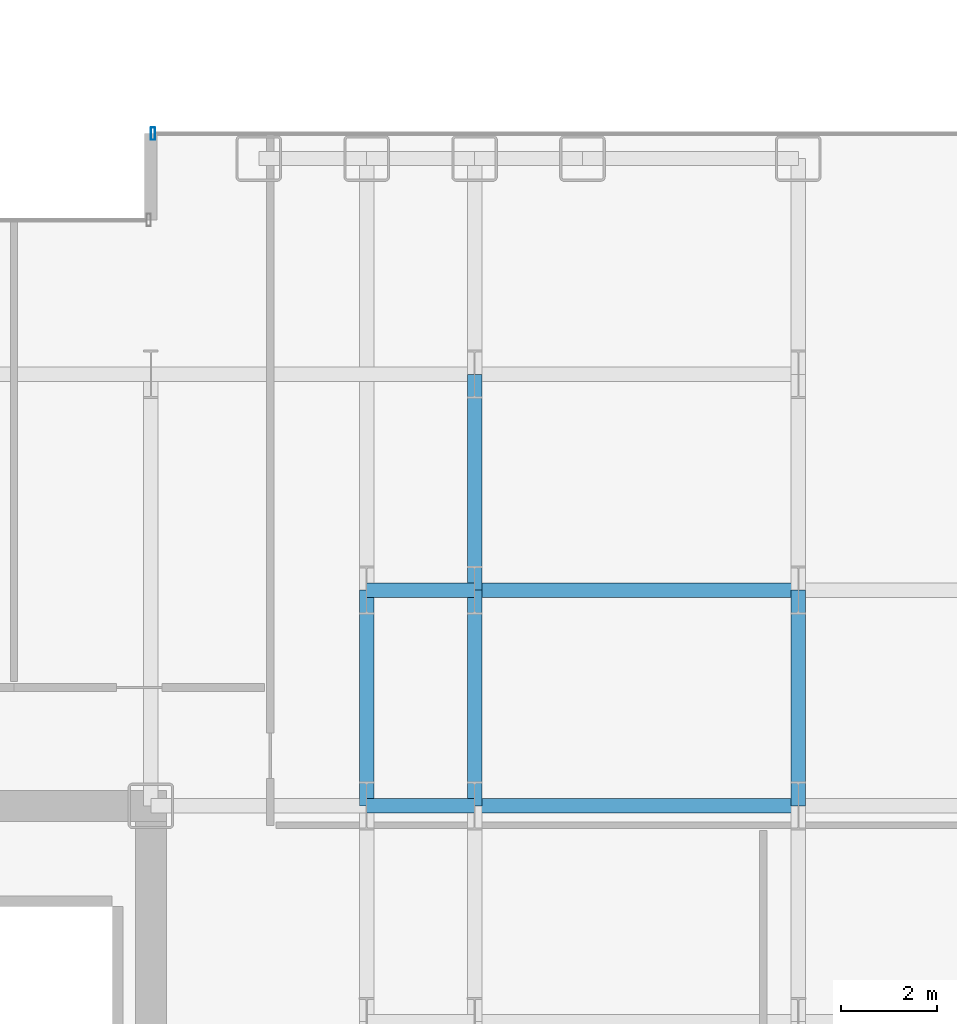
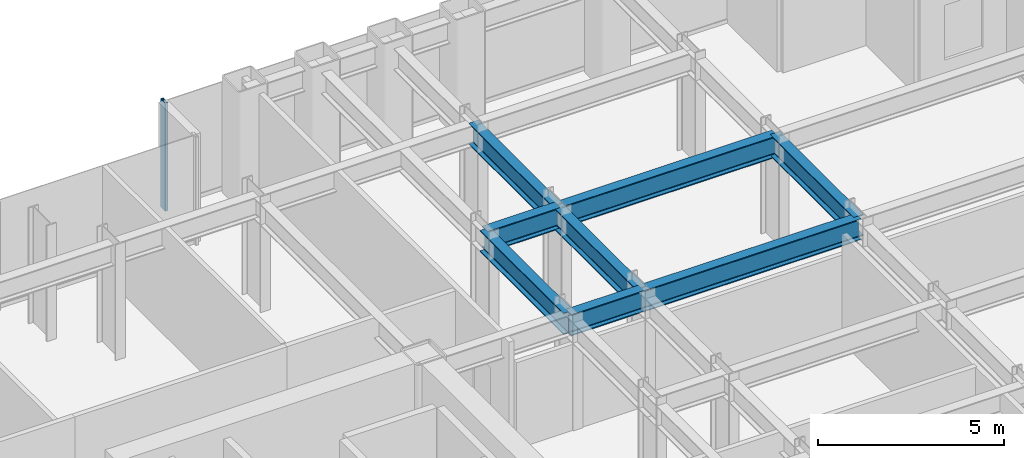
# One storey, part 15 of 29: 8 beams, 1 member, 1 element without a shape of its own.
"""IFC4 building model written with IfcOpenShell, lengths in metres."""

from ifc_helpers import new_model, si_unit, direction, frame, origin, origin_2d, place, context, subcontext, project, spatial, hollow_rectangle, i_section, extrude, source, transform, mapped, material, layer, layer_set, material_profile, profile_set, type_object, element, aggregate, save


model = new_model("IFC4")

# Units and contexts
model_context = context("Model", 3, precision=1e-05, world=origin(), true_north=direction((0.0, 1.0)))
body_context = subcontext(model_context, "Body", "Model", "MODEL_VIEW")
ifc_project = project(units=[si_unit("LENGTHUNIT", "METRE"), si_unit("AREAUNIT", "SQUARE_METRE"), si_unit("VOLUMEUNIT", "CUBIC_METRE"), si_unit("PLANEANGLEUNIT", "RADIAN"), si_unit("MASSUNIT", "GRAM", prefix="KILO")], contexts=[model_context])

# Site, building, storey
site_placement = place(None, origin())
site = spatial("IfcSite", under=ifc_project, at=site_placement, CompositionType="ELEMENT")
building_placement = place(site_placement, origin())
building = spatial("IfcBuilding", under=site, at=building_placement, Name="Nefas-Gora Pilgrimage Tower", CompositionType="ELEMENT")
storey_placement = place(building_placement, frame((0.0, 0.0, 67.199951171875)))
storey = spatial("IfcBuildingStorey", under=building, at=storey_placement, Name="L15", CompositionType="ELEMENT", Elevation=67.199951171875)

# Beams
ifc_material_1 = material(Name="Steel S355", Category="steel")
ifc_material_profile_1 = material_profile(ifc_material_1, i_section(OverallWidth=0.300048828125, OverallDepth=0.699951171875, WebThickness=0.01708984375, FlangeThickness=0.031982421875, FilletRadius=0.027099609375, at=origin_2d()), Name="HEB 700")
ifc_profile_set_1 = profile_set([ifc_material_profile_1], Name="Steel S355")
beam_type = type_object("IfcBeamType", Name="BM-GIR-HEB700", PredefinedType="BEAM", material=ifc_profile_set_1)
shared_shape_1 = source(origin(), body_context, "Body", "SweptSolid", [
    extrude(i_section(OverallWidth=0.300048828125, OverallDepth=0.699951171875, WebThickness=0.01708984375, FlangeThickness=0.031982421875, FilletRadius=0.027099609375, at=origin_2d()), origin(), (0.0, 0.0, 1.0), 4.5),
])
for number, where, z_axis, x_axis, name in (
    (1, (15.75, 9.0, 3.199951171875), (0.0, 1.0, 0.0), (-1.0, 0.0, 0.0), "L15 G-02 beam"),
    (2, (18.0, 9.0, 3.199951171875), (0.0, 1.0, 0.0), (-1.0, 0.0, 0.0), "L15 G-02 beam"),
    (3, (18.0, 13.5, 3.199951171875), (0.0, 1.0, 0.0), (-1.0, 0.0, 0.0), "L15 G-02 beam"),
    (4, (24.75, 9.0, 3.199951171875), (0.0, 1.0, 0.0), (-1.0, 0.0, 0.0), "L15 G-02 beam"),
):
    element("IfcBeam", number, at=place(storey_placement, frame(where, z_axis=z_axis, x_axis=x_axis)), inside=storey, type_object=beam_type, Name=name, PredefinedType="BEAM", context=body_context, shape_type="MappedRepresentation", body=[
        mapped(shared_shape_1, transform((0.0, 0.0, 0.0), x_axis=(1.0, 0.0, 0.0), y_axis=(0.0, 1.0, 0.0), z_axis=(0.0, 0.0, 1.0), scale=1.0)),
    ])
shared_shape_2 = source(origin(), body_context, "Body", "SweptSolid", [
    extrude(i_section(OverallWidth=0.300048828125, OverallDepth=0.699951171875, WebThickness=0.01708984375, FlangeThickness=0.031982421875, FilletRadius=0.027099609375, at=origin_2d()), origin(), (0.0, 0.0, 1.0), 6.75),
])
for number, where, z_axis, x_axis, name in (
    (5, (18.0, 9.0, 3.199951171875), (1.0, 0.0, 0.0), (0.0, 1.0, 0.0), "L15 G-02 beam"),
    (6, (18.0, 13.5, 3.199951171875), (1.0, 0.0, 0.0), (0.0, 1.0, 0.0), "L15 G-02 beam"),
):
    element("IfcBeam", number, at=place(storey_placement, frame(where, z_axis=z_axis, x_axis=x_axis)), inside=storey, type_object=beam_type, Name=name, PredefinedType="BEAM", context=body_context, shape_type="MappedRepresentation", body=[
        mapped(shared_shape_2, transform((0.0, 0.0, 0.0), x_axis=(1.0, 0.0, 0.0), y_axis=(0.0, 1.0, 0.0), z_axis=(0.0, 0.0, 1.0), scale=1.0)),
    ])
shared_shape_3 = source(origin(), body_context, "Body", "SweptSolid", [
    extrude(i_section(OverallWidth=0.300048828125, OverallDepth=0.699951171875, WebThickness=0.01708984375, FlangeThickness=0.031982421875, FilletRadius=0.027099609375, at=origin_2d()), origin(), (0.0, 0.0, 1.0), 2.25),
])
for number, where, z_axis, x_axis, name in (
    (7, (15.75, 9.0, 3.199951171875), (1.0, 0.0, 0.0), (0.0, 1.0, 0.0), "L15 G-02 beam"),
    (8, (15.75, 13.5, 3.199951171875), (1.0, 0.0, 0.0), (0.0, 1.0, 0.0), "L15 G-02 beam"),
):
    element("IfcBeam", number, at=place(storey_placement, frame(where, z_axis=z_axis, x_axis=x_axis)), inside=storey, type_object=beam_type, Name=name, PredefinedType="BEAM", context=body_context, shape_type="MappedRepresentation", body=[
        mapped(shared_shape_3, transform((0.0, 0.0, 0.0), x_axis=(1.0, 0.0, 0.0), y_axis=(0.0, 1.0, 0.0), z_axis=(0.0, 0.0, 1.0), scale=1.0)),
    ])

# Curtain wall, member
ifc_material_2 = material(Name="Dark ceramic-fritted solar-control aluminium-glass curtain wall", Category="aluminium")
ifc_layer = layer(ifc_material_2, 0.219970703125)
ifc_layer_set = layer_set([ifc_layer], Name="Dark ceramic-fritted solar-control aluminium-glass curtain wall")
curtain_wall_type = type_object("IfcCurtainWallType", Name="CW-SYS-2", PredefinedType="NOTDEFINED", material=ifc_layer_set)
curtain_wall_placement = place(storey_placement, origin())
curtain_wall = element("IfcCurtainWall", 9, at=curtain_wall_placement, inside=storey, type_object=curtain_wall_type, Name="L15 Unitised Curtain Wall CW2", PredefinedType="NOTDEFINED")
ifc_material_3 = material(Name="Anodised architectural aluminium", Category="aluminium")
ifc_material_profile_2 = material_profile(ifc_material_3, hollow_rectangle(XDim=0.090087890625, YDim=0.260009765625, WallThickness=0.006103515625, InnerFilletRadius=0.006103515625, OuterFilletRadius=0.011962890625, at=origin_2d()), Name="ALU MULLION 90x260")
ifc_profile_set_2 = profile_set([ifc_material_profile_2], Name="Anodised architectural aluminium")
member_type = type_object("IfcMemberType", Name="CWM-MUL-2", PredefinedType="MULLION", material=ifc_profile_set_2)
shared_shape_4 = source(origin(), body_context, "Body", "SweptSolid", [
    extrude(hollow_rectangle(XDim=0.090087890625, YDim=0.260009765625, WallThickness=0.006103515625, InnerFilletRadius=0.006103515625, OuterFilletRadius=0.011962890625, at=origin_2d()), origin(), (0.0, 0.0, 1.0), 3.550048828125),
])
member_placement = place(storey_placement, frame((11.294921875, 23.02001953125, 0.0), z_axis=(0.0, 0.0, 1.0), x_axis=(-1.0, 0.0, 0.0)))
member = element("IfcMember", 10, at=member_placement, type_object=member_type, Name="CW2 Mullion 2", PredefinedType="MULLION", context=body_context, shape_type="MappedRepresentation", body=[
    mapped(shared_shape_4, transform((0.0, 0.0, 0.0), x_axis=(1.0, 0.0, 0.0), y_axis=(0.0, 1.0, 0.0), z_axis=(0.0, 0.0, 1.0), scale=1.0)),
])
aggregate(curtain_wall, [member])

save(model, "model.ifc")
